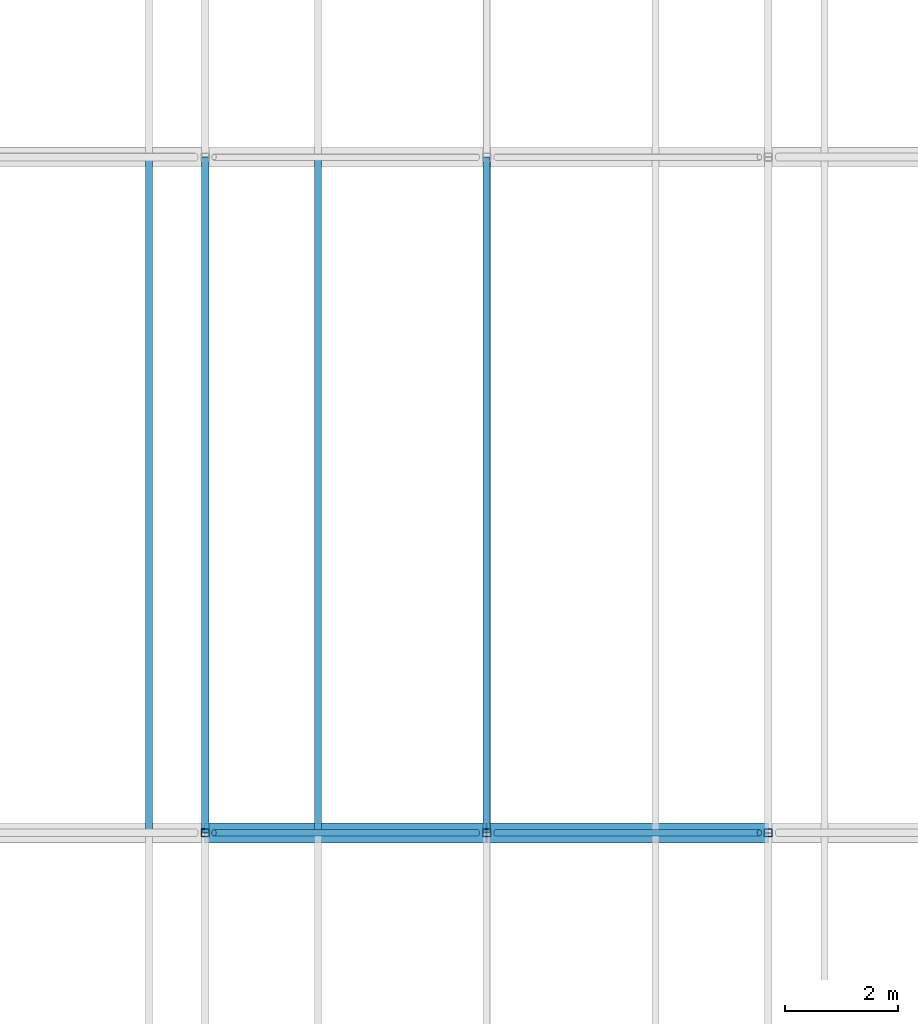
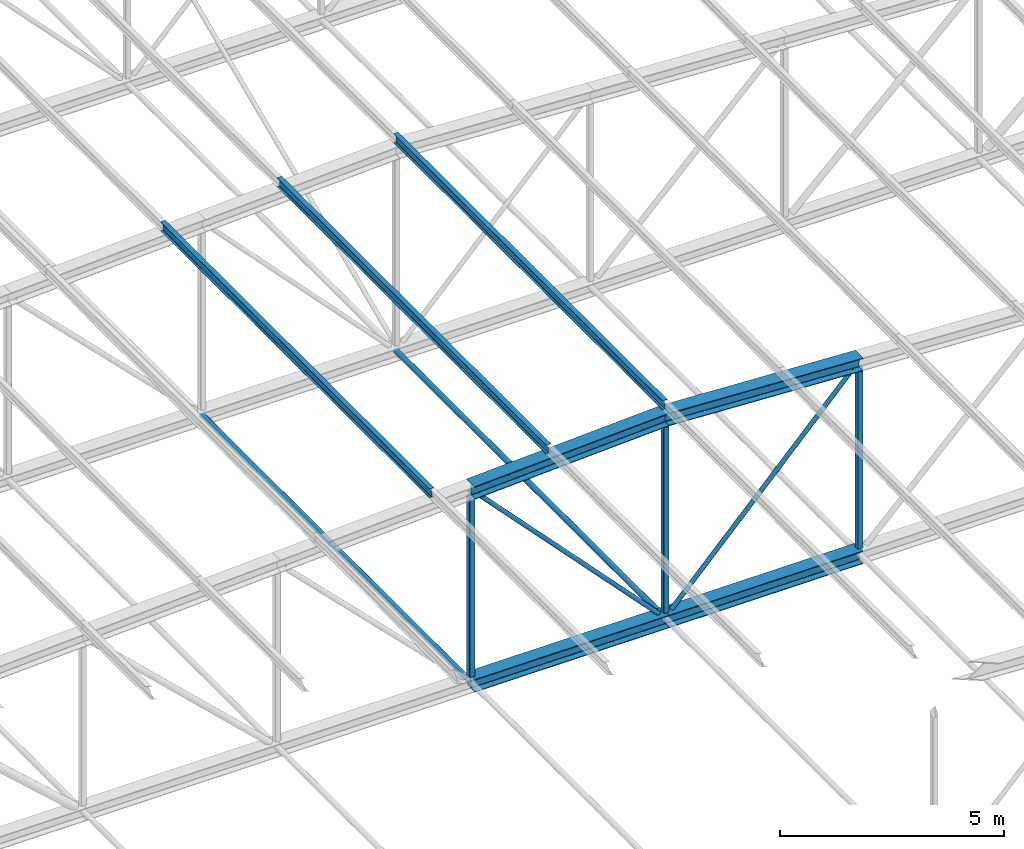
# One storey, part 22 of 156: 14 members.
"""IFC4 building model written with IfcOpenShell, lengths in metres."""

from ifc_helpers import new_model, si_unit, direction, frame, origin, origin_2d, place, context, subcontext, project, spatial, hollow_rectangle, hollow_circle, i_section, extrude, material, material_profile, profile_set, type_object, element, save


model = new_model("IFC4")

# Units and contexts
model_context = context("Model", 3, precision=1e-05, world=origin(), true_north=direction((0.0, 1.0)))
body_context = subcontext(model_context, "Body", "Model", "MODEL_VIEW")
ifc_project = project(units=[si_unit("LENGTHUNIT", "METRE"), si_unit("AREAUNIT", "SQUARE_METRE"), si_unit("VOLUMEUNIT", "CUBIC_METRE"), si_unit("PLANEANGLEUNIT", "RADIAN"), si_unit("MASSUNIT", "GRAM", prefix="KILO")], contexts=[model_context])

# Site, building, storey
site_placement = place(None, origin())
site = spatial("IfcSite", under=ifc_project, at=site_placement, CompositionType="ELEMENT")
building_placement = place(site_placement, origin())
building = spatial("IfcBuilding", under=site, at=building_placement, Name="Lilac Gate Convention Centre", CompositionType="ELEMENT")
storey_placement = place(building_placement, frame((0.0, 0.0, 17.0)))
storey = spatial("IfcBuildingStorey", under=building, at=storey_placement, Name="L03", CompositionType="ELEMENT", Elevation=17.0)

# Members
ifc_material = material(Name="Steel Q355B", Category="steel")
ifc_material_profile_1 = material_profile(ifc_material, hollow_circle(Radius=0.06982421875, WallThickness=0.0048828125, at=origin_2d()), Name="CHS139.7x5")
ifc_profile_set_1 = profile_set([ifc_material_profile_1], Name="Steel Q355B")
member_type_1 = type_object("IfcMemberType", Name="Bottom chord tie CHS139.7x5", PredefinedType="STRUT", material=ifc_profile_set_1)
for number, where, z_axis, x_axis, name in (
    (1, (55.0, 54.009521484375, 0.0), (0.0, 1.0, 0.0), (-1.0, 0.0, 0.0), "ST1 tie bay 3 node 6"),
    (2, (60.0, 54.009521484375, 0.0), (0.0, 1.0, 0.0), (-1.0, 0.0, 0.0), "ST1 tie bay 3 node 7"),
):
    element("IfcMember", number, at=place(storey_placement, frame(where, z_axis=z_axis, x_axis=x_axis)), inside=storey, type_object=member_type_1, Name=name, PredefinedType="STRUT", context=body_context, shape_type="SweptSolid", body=[
        extrude(hollow_circle(Radius=0.06982421875, WallThickness=0.0048828125, at=origin_2d()), origin(), (0.0, 0.0, 1.0), 11.98095703125),
    ])
ifc_material_profile_2 = material_profile(ifc_material, i_section(OverallWidth=0.125, OverallDepth=0.25, WebThickness=0.006103515625, FlangeThickness=0.009033203125, FilletRadius=0.008056640625, at=origin_2d()), Name="HN250x125x6x9")
ifc_profile_set_2 = profile_set([ifc_material_profile_2], Name="Steel Q355B")
member_type_2 = type_object("IfcMemberType", Name="Roof purlin HN250x125x6x9", PredefinedType="PURLIN", material=ifc_profile_set_2)
for number, where, z_axis, x_axis, name in (
    (3, (54.0, 54.0, 5.500244140625), (0.0, 1.0, 0.0), (-1.0, 0.0, 0.0), "PU2 purlin bay 3 line 9"),
    (4, (57.0, 54.0, 5.650146484375), (0.0, 1.0, 0.0), (-1.0, 0.0, 0.0), "PU2 purlin bay 3 line 10"),
    (5, (60.0, 54.0, 5.80029296875), (0.0, 1.0, 0.0), (-1.0, 0.0, 0.0), "PU2 purlin bay 3 line 11"),
):
    element("IfcMember", number, at=place(storey_placement, frame(where, z_axis=z_axis, x_axis=x_axis)), inside=storey, type_object=member_type_2, Name=name, PredefinedType="PURLIN", context=body_context, shape_type="SweptSolid", body=[
        extrude(i_section(OverallWidth=0.125, OverallDepth=0.25, WebThickness=0.006103515625, FlangeThickness=0.009033203125, FilletRadius=0.008056640625, at=origin_2d()), origin(), (0.0, 0.0, 1.0), 12.0),
    ])
ifc_material_profile_3 = material_profile(ifc_material, i_section(OverallWidth=0.35693359375, OverallDepth=0.35009765625, WebThickness=0.01904296875, FlangeThickness=0.01904296875, FilletRadius=0.012939453125, at=origin_2d()), Name="HW350x357x19x19")
ifc_profile_set_3 = profile_set([ifc_material_profile_3], Name="Steel Q355B")
member_type_3 = type_object("IfcMemberType", Name="Truss bottom chord HW350x357x19x19", PredefinedType="CHORD", material=ifc_profile_set_3)
for number, where, z_axis, x_axis, name in (
    (6, (55.0, 54.0, 0.0), (1.0, 0.0, 0.0), (0.0, 1.0, 0.0), "TB3 truss 3 bottom chord 6"),
    (7, (60.0, 54.0, 0.0), (1.0, 0.0, 0.0), (0.0, 1.0, 0.0), "TB3 truss 3 bottom chord 7"),
):
    element("IfcMember", number, at=place(storey_placement, frame(where, z_axis=z_axis, x_axis=x_axis)), inside=storey, type_object=member_type_3, Name=name, PredefinedType="CHORD", context=body_context, shape_type="SweptSolid", body=[
        extrude(i_section(OverallWidth=0.35693359375, OverallDepth=0.35009765625, WebThickness=0.01904296875, FlangeThickness=0.01904296875, FilletRadius=0.012939453125, at=origin_2d()), origin(), (0.0, 0.0, 1.0), 5.0),
    ])
ifc_material_profile_4 = material_profile(ifc_material, hollow_circle(Radius=0.05712890625, WallThickness=0.0048828125, at=origin_2d()), Name="CHS114.3x5")
ifc_profile_set_4 = profile_set([ifc_material_profile_4], Name="Steel Q355B")
member_type_4 = type_object("IfcMemberType", Name="Truss diagonal CHS114.3x5", PredefinedType="BRACE", material=ifc_profile_set_4)
for number, where, z_axis, x_axis, name in (
    (8, (55.156494140625, 54.0, 5.085693359375), (0.6896515765, 0.0, -0.724141355697), (0.0, 1.0, 0.0), "TW6 truss 3 diagonal 6"),
    (9, (64.843505859375, 54.0, 5.085693359375), (-0.6896515765, 0.0, -0.724141355697), (0.0, -1.0, 0.0), "TW6 truss 3 diagonal 7"),
):
    element("IfcMember", number, at=place(storey_placement, frame(where, z_axis=z_axis, x_axis=x_axis)), inside=storey, type_object=member_type_4, Name=name, PredefinedType="BRACE", context=body_context, shape_type="SweptSolid", body=[
        extrude(hollow_circle(Radius=0.05712890625, WallThickness=0.0048828125, at=origin_2d()), origin(), (0.0, 0.0, 1.0), 6.78125),
    ])
ifc_material_profile_5 = material_profile(ifc_material, i_section(OverallWidth=0.35693359375, OverallDepth=0.35009765625, WebThickness=0.01904296875, FlangeThickness=0.01904296875, FilletRadius=0.012939453125, at=origin_2d()), Name="HW350x357x19x19")
ifc_profile_set_5 = profile_set([ifc_material_profile_5], Name="Steel Q355B")
member_type_5 = type_object("IfcMemberType", Name="Truss top chord HW350x357x19x19", PredefinedType="CHORD", material=ifc_profile_set_5)
for number, where, z_axis, x_axis, name in (
    (10, (55.0, 54.0, 5.25), (0.998752338878, 0.0, 0.049937616944), (0.0, 1.0, 0.0), "TT3 truss 3 top chord 6"),
    (11, (60.0, 54.0, 5.5), (0.998752338878, 0.0, -0.049937616944), (0.0, 1.0, 0.0), "TT3 truss 3 top chord 7"),
):
    element("IfcMember", number, at=place(storey_placement, frame(where, z_axis=z_axis, x_axis=x_axis)), inside=storey, type_object=member_type_5, Name=name, PredefinedType="CHORD", context=body_context, shape_type="SweptSolid", body=[
        extrude(i_section(OverallWidth=0.35693359375, OverallDepth=0.35009765625, WebThickness=0.01904296875, FlangeThickness=0.01904296875, FilletRadius=0.012939453125, at=origin_2d()), origin(), (0.0, 0.0, 1.0), 5.00634765625),
    ])
ifc_material_profile_6 = material_profile(ifc_material, hollow_rectangle(XDim=0.139892578125, YDim=0.139892578125, WallThickness=0.0048828125, InnerFilletRadius=0.0048828125, OuterFilletRadius=0.010009765625, at=origin_2d()), Name="SHS140x140x5")
ifc_profile_set_6 = profile_set([ifc_material_profile_6], Name="Steel Q355B")
member_type_6 = type_object("IfcMemberType", Name="Truss vertical SHS140x140x5", PredefinedType="STRUT", material=ifc_profile_set_6)
member_1_placement = place(storey_placement, frame((55.0, 54.0, 0.175048828125), z_axis=(0.0, 0.0, 1.0), x_axis=(1.0, 0.0, 0.0)))
element("IfcMember", 12, at=member_1_placement, inside=storey, type_object=member_type_6, Name="TV4 truss 3 vertical 6", PredefinedType="STRUT", context=body_context, shape_type="SweptSolid", body=[
    extrude(hollow_rectangle(XDim=0.139892578125, YDim=0.139892578125, WallThickness=0.0048828125, InnerFilletRadius=0.0048828125, OuterFilletRadius=0.010009765625, at=origin_2d()), origin(), (0.0, 0.0, 1.0), 4.899658203125),
])
member_2_placement = place(storey_placement, frame((60.0, 54.0, 0.175048828125), z_axis=(0.0, 0.0, 1.0), x_axis=(1.0, 0.0, 0.0)))
element("IfcMember", 13, at=member_2_placement, inside=storey, type_object=member_type_6, Name="TV4 truss 3 vertical 7", PredefinedType="STRUT", context=body_context, shape_type="SweptSolid", body=[
    extrude(hollow_rectangle(XDim=0.139892578125, YDim=0.139892578125, WallThickness=0.0048828125, InnerFilletRadius=0.0048828125, OuterFilletRadius=0.010009765625, at=origin_2d()), origin(), (0.0, 0.0, 1.0), 5.149658203125),
])
member_3_placement = place(storey_placement, frame((65.0, 54.0, 0.175048828125), z_axis=(0.0, 0.0, 1.0), x_axis=(1.0, 0.0, 0.0)))
element("IfcMember", 14, at=member_3_placement, inside=storey, type_object=member_type_6, Name="TV4 truss 3 vertical 8", PredefinedType="STRUT", context=body_context, shape_type="SweptSolid", body=[
    extrude(hollow_rectangle(XDim=0.139892578125, YDim=0.139892578125, WallThickness=0.0048828125, InnerFilletRadius=0.0048828125, OuterFilletRadius=0.010009765625, at=origin_2d()), origin(), (0.0, 0.0, 1.0), 4.899658203125),
])

save(model, "model.ifc")
